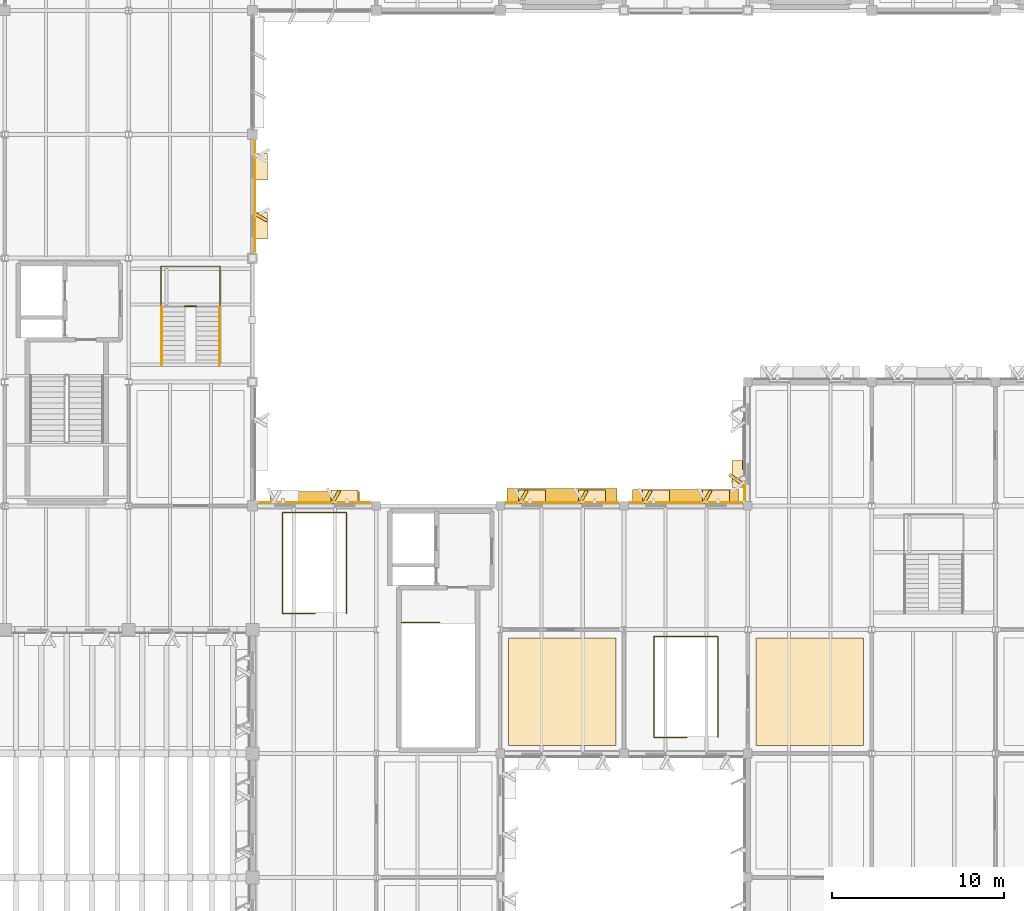
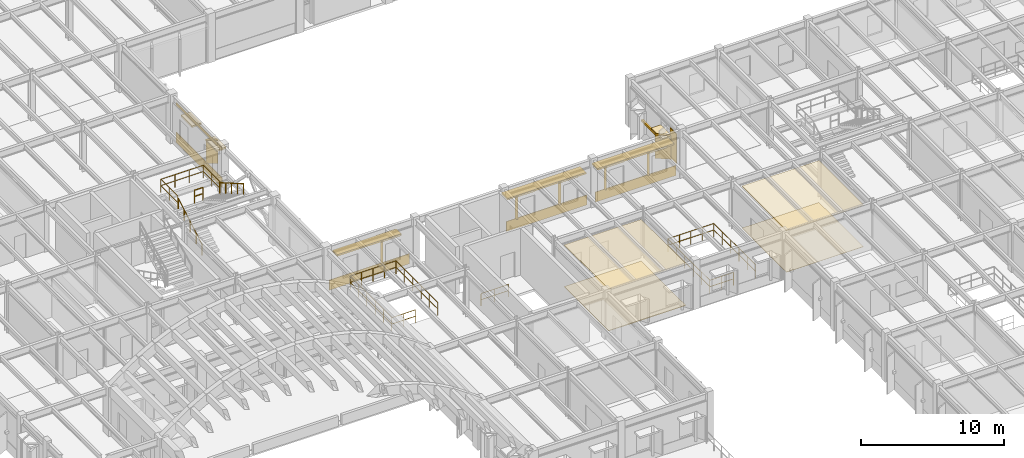
# One storey, part 73 of 85: 25 coverings, 7 railings, 4 shading devices.
"""IFC4 building model written with IfcOpenShell, lengths in metres."""

from ifc_helpers import new_model, si_unit, direction, frame, frame_2d, origin, origin_2d, place, context, subcontext, project, spatial, polyline, rectangle, circle, outline, extrude, material, layer, layer_set, type_object, element, save


model = new_model("IFC4")

# Units and contexts
model_context = context("Model", 3, precision=1e-05, world=origin(), true_north=direction((0.0, 1.0)))
body_context = subcontext(model_context, "Body", "Model", "MODEL_VIEW")
ifc_project = project(units=[si_unit("LENGTHUNIT", "METRE"), si_unit("AREAUNIT", "SQUARE_METRE"), si_unit("VOLUMEUNIT", "CUBIC_METRE"), si_unit("PLANEANGLEUNIT", "RADIAN"), si_unit("MASSUNIT", "GRAM", prefix="KILO")], contexts=[model_context])

# Site, building, storey
site_placement = place(None, origin())
site = spatial("IfcSite", under=ifc_project, at=site_placement, CompositionType="ELEMENT")
building_placement = place(site_placement, origin())
building = spatial("IfcBuilding", under=site, at=building_placement, Name="Sillqori Civic Hall", CompositionType="ELEMENT")
storey_placement = place(building_placement, frame((0.0, 0.0, 9.89990234375)))
storey = spatial("IfcBuildingStorey", under=building, at=storey_placement, Name="L03", CompositionType="ELEMENT", Elevation=9.89990234375)

# Coverings
ifc_material_1 = material(Name="Perforated Metal Coffer Panel 70", Category="aluminium")
ifc_layer_1 = layer(ifc_material_1, 0.070068359375)
ifc_layer_set_1 = layer_set([ifc_layer_1], Name="Perforated Metal Coffer Panel 70")
covering_type_1 = type_object("IfcCoveringType", Name="COV-CEIL-M70", PredefinedType="CEILING", material=ifc_layer_set_1)
covering_1_placement = place(storey_placement, frame((0.0, 0.0, 3.551025390625)))
element("IfcCovering", 1, at=covering_1_placement, inside=storey, type_object=covering_type_1, Name="Public Digital Services Lab acoustic ceiling", PredefinedType="CEILING", context=body_context, shape_type="SweptSolid", body=[
    extrude(outline(polyline([(65.280029296875, 36.47998046875), (71.52001953125, 36.47998046875), (71.52001953125, 42.719970703125), (65.280029296875, 42.719970703125), (65.280029296875, 36.47998046875)])), origin(), (0.0, 0.0, 1.0), 0.070068359375),
])
ifc_material_2 = material(Name="Andean Cedar Slatted Baffle 46", Category="timber")
ifc_layer_2 = layer(ifc_material_2, 0.0458984375)
ifc_layer_set_2 = layer_set([ifc_layer_2], Name="Andean Cedar Slatted Baffle 46")
covering_type_2 = type_object("IfcCoveringType", Name="COV-CEIL-T46", PredefinedType="CEILING", material=ifc_layer_set_2)
covering_2_placement = place(storey_placement, frame((0.0, 0.0, 3.5751953125)))
element("IfcCovering", 2, at=covering_2_placement, inside=storey, type_object=covering_type_2, Name="Legislative Stenography and Hansard Office acoustic ceiling", PredefinedType="CEILING", context=body_context, shape_type="SweptSolid", body=[
    extrude(outline(polyline([(50.8798828125, 36.47998046875), (57.1201171875, 36.47998046875), (57.1201171875, 42.719970703125), (50.8798828125, 42.719970703125), (50.8798828125, 36.47998046875)])), origin(), (0.0, 0.0, 1.0), 0.0458984375),
])
ifc_material_3 = material(Name="Cochabamba Honed Limestone Cladding", Category="masonry")
ifc_layer_3 = layer(ifc_material_3, 0.044921875)
ifc_layer_set_3 = layer_set([ifc_layer_3], Name="Cochabamba Honed Limestone Cladding")
covering_type_3 = type_object("IfcCoveringType", Name="COV-CLAD-LIME", PredefinedType="CLADDING", material=ifc_layer_set_3)
covering_3_placement = place(storey_placement, frame((36.14990234375, 71.6201171875, 0.0400390625), z_axis=(0.0, 0.0, 1.0), x_axis=(0.0, -1.0, 0.0)))
element("IfcCovering", 3, at=covering_3_placement, inside=storey, type_object=covering_type_3, Name="L03 limestone spandrel cladding L03-04-09-E", PredefinedType="CLADDING", context=body_context, shape_type="SweptSolid", body=[
    extrude(rectangle(XDim=6.440185546875, YDim=0.044921875, at=frame_2d((3.22021484375, 0.0))), origin(), (0.0, 0.0, 1.0), 0.860107421875),
])
covering_4_placement = place(storey_placement, frame((36.14990234375, 71.6201171875, 3.22021484375), z_axis=(0.0, 0.0, 1.0), x_axis=(0.0, -1.0, 0.0)))
element("IfcCovering", 4, at=covering_4_placement, inside=storey, type_object=covering_type_3, Name="L03 limestone frieze cladding L03-04-09-E", PredefinedType="CLADDING", context=body_context, shape_type="SweptSolid", body=[
    extrude(rectangle(XDim=6.440185546875, YDim=0.044921875, at=frame_2d((3.22021484375, 0.0))), origin(), (0.0, 0.0, 1.0), 0.226806640625),
])
covering_5_placement = place(storey_placement, frame((36.489990234375, 70.89599609375, 2.690185546875), z_axis=(0.0, 0.0, 1.0), x_axis=(0.0, -1.0, 0.0)))
element("IfcCovering", 5, at=covering_5_placement, inside=storey, type_object=covering_type_3, Name="Sawtooth limestone window hood L03-04-09-E.1", PredefinedType="CLADDING", context=body_context, shape_type="SweptSolid", body=[
    extrude(rectangle(XDim=1.56005859375, YDim=0.780029296875, at=frame_2d((0.780029296875, 0.0))), origin(), (0.0, 0.0, 1.0), 0.139892578125),
])
covering_6_placement = place(storey_placement, frame((36.110107421875, 67.404052734375, 0.830078125), z_axis=(0.0, 0.0, 1.0), x_axis=(0.865989465428, -0.500062241894, 0.0)))
element("IfcCovering", 6, at=covering_6_placement, inside=storey, type_object=covering_type_3, Name="Sawtooth limestone angled reveal cheek L03-04-09-E.2", PredefinedType="CLADDING", context=body_context, shape_type="SweptSolid", body=[
    extrude(rectangle(XDim=0.85009765625, YDim=0.179931640625, at=frame_2d((0.425048828125, 0.0))), origin(), (0.0, 0.0, 1.0), 2.0),
])
covering_7_placement = place(storey_placement, frame((36.489990234375, 67.464111328125, 2.690185546875), z_axis=(0.0, 0.0, 1.0), x_axis=(0.0, -1.0, 0.0)))
element("IfcCovering", 7, at=covering_7_placement, inside=storey, type_object=covering_type_3, Name="Sawtooth limestone window hood L03-04-09-E.2", PredefinedType="CLADDING", context=body_context, shape_type="SweptSolid", body=[
    extrude(rectangle(XDim=1.56005859375, YDim=0.780029296875, at=frame_2d((0.780029296875, 0.0))), origin(), (0.0, 0.0, 1.0), 0.139892578125),
])
covering_8_placement = place(storey_placement, frame((36.3798828125, 50.590087890625, 0.0400390625), z_axis=(0.0, 0.0, 1.0), x_axis=(1.0, 0.0, 0.0)))
element("IfcCovering", 8, at=covering_8_placement, inside=storey, type_object=covering_type_3, Name="L03 limestone spandrel cladding L03-05-06-N", PredefinedType="CLADDING", context=body_context, shape_type="SweptSolid", body=[
    extrude(rectangle(XDim=6.490234375, YDim=0.044921875, at=frame_2d((3.2451171875, 0.0))), origin(), (0.0, 0.0, 1.0), 0.860107421875),
])
covering_9_placement = place(storey_placement, frame((40.634033203125, 50.550048828125, 0.830078125), z_axis=(0.0, 0.0, 1.0), x_axis=(0.500062241894, 0.865989465428, 0.0)))
element("IfcCovering", 9, at=covering_9_placement, inside=storey, type_object=covering_type_3, Name="Sawtooth limestone angled reveal cheek L03-05-06-N.2", PredefinedType="CLADDING", context=body_context, shape_type="SweptSolid", body=[
    extrude(rectangle(XDim=0.85009765625, YDim=0.179931640625, at=frame_2d((0.425048828125, 0.0))), origin(), (0.0, 0.0, 1.0), 2.0),
])
covering_10_placement = place(storey_placement, frame((40.573974609375, 50.929931640625, 2.690185546875), z_axis=(0.0, 0.0, 1.0), x_axis=(1.0, 0.0, 0.0)))
element("IfcCovering", 10, at=covering_10_placement, inside=storey, type_object=covering_type_3, Name="Sawtooth limestone window hood L03-05-06-N.2", PredefinedType="CLADDING", context=body_context, shape_type="SweptSolid", body=[
    extrude(rectangle(XDim=1.56005859375, YDim=0.780029296875, at=frame_2d((0.780029296875, 0.0))), origin(), (0.0, 0.0, 1.0), 0.139892578125),
])
covering_11_placement = place(storey_placement, frame((50.72998046875, 50.590087890625, 0.0400390625), z_axis=(0.0, 0.0, 1.0), x_axis=(1.0, 0.0, 0.0)))
element("IfcCovering", 11, at=covering_11_placement, inside=storey, type_object=covering_type_3, Name="L03 limestone spandrel cladding L03-07-06-N", PredefinedType="CLADDING", context=body_context, shape_type="SweptSolid", body=[
    extrude(rectangle(XDim=6.5400390625, YDim=0.044921875, at=frame_2d((3.27001953125, 0.0))), origin(), (0.0, 0.0, 1.0), 0.860107421875),
])
covering_12_placement = place(storey_placement, frame((51.5380859375, 50.550048828125, 0.830078125), z_axis=(0.0, 0.0, 1.0), x_axis=(0.499846793097, 0.866113839764, 0.0)))
element("IfcCovering", 12, at=covering_12_placement, inside=storey, type_object=covering_type_3, Name="Sawtooth limestone angled reveal cheek L03-07-06-N.1", PredefinedType="CLADDING", context=body_context, shape_type="SweptSolid", body=[
    extrude(rectangle(XDim=0.849853515625, YDim=0.179931640625, at=frame_2d((0.4248046875, 0.0))), origin(), (0.0, 0.0, 1.0), 2.0),
])
covering_13_placement = place(storey_placement, frame((51.47802734375, 50.929931640625, 2.690185546875), z_axis=(0.0, 0.0, 1.0), x_axis=(1.0, 0.0, 0.0)))
element("IfcCovering", 13, at=covering_13_placement, inside=storey, type_object=covering_type_3, Name="Sawtooth limestone window hood L03-07-06-N.1", PredefinedType="CLADDING", context=body_context, shape_type="SweptSolid", body=[
    extrude(rectangle(XDim=1.56005859375, YDim=0.780029296875, at=frame_2d((0.780029296875, 0.0))), origin(), (0.0, 0.0, 1.0), 0.139892578125),
])
covering_14_placement = place(storey_placement, frame((55.02197265625, 50.550048828125, 0.830078125), z_axis=(0.0, 0.0, 1.0), x_axis=(0.500062241894, 0.865989465428, 0.0)))
element("IfcCovering", 14, at=covering_14_placement, inside=storey, type_object=covering_type_3, Name="Sawtooth limestone angled reveal cheek L03-07-06-N.2", PredefinedType="CLADDING", context=body_context, shape_type="SweptSolid", body=[
    extrude(rectangle(XDim=0.85009765625, YDim=0.179931640625, at=frame_2d((0.425048828125, 0.0))), origin(), (0.0, 0.0, 1.0), 2.0),
])
covering_15_placement = place(storey_placement, frame((54.9619140625, 50.929931640625, 2.690185546875), z_axis=(0.0, 0.0, 1.0), x_axis=(1.0, 0.0, 0.0)))
element("IfcCovering", 15, at=covering_15_placement, inside=storey, type_object=covering_type_3, Name="Sawtooth limestone window hood L03-07-06-N.2", PredefinedType="CLADDING", context=body_context, shape_type="SweptSolid", body=[
    extrude(rectangle(XDim=1.56005859375, YDim=0.780029296875, at=frame_2d((0.780029296875, 0.0))), origin(), (0.0, 0.0, 1.0), 0.139892578125),
])
covering_16_placement = place(storey_placement, frame((57.929931640625, 50.590087890625, 0.0400390625), z_axis=(0.0, 0.0, 1.0), x_axis=(1.0, 0.0, 0.0)))
element("IfcCovering", 16, at=covering_16_placement, inside=storey, type_object=covering_type_3, Name="L03 limestone spandrel cladding L03-08-06-N", PredefinedType="CLADDING", context=body_context, shape_type="SweptSolid", body=[
    extrude(rectangle(XDim=6.5400390625, YDim=0.044921875, at=frame_2d((3.27001953125, 0.0))), origin(), (0.0, 0.0, 1.0), 0.860107421875),
])
covering_17_placement = place(storey_placement, frame((58.738037109375, 50.550048828125, 0.830078125), z_axis=(0.0, 0.0, 1.0), x_axis=(0.500062241894, 0.865989465428, 0.0)))
element("IfcCovering", 17, at=covering_17_placement, inside=storey, type_object=covering_type_3, Name="Sawtooth limestone angled reveal cheek L03-08-06-N.1", PredefinedType="CLADDING", context=body_context, shape_type="SweptSolid", body=[
    extrude(rectangle(XDim=0.85009765625, YDim=0.179931640625, at=frame_2d((0.425048828125, 0.0))), origin(), (0.0, 0.0, 1.0), 2.0),
])
covering_18_placement = place(storey_placement, frame((58.677978515625, 50.929931640625, 2.690185546875), z_axis=(0.0, 0.0, 1.0), x_axis=(1.0, 0.0, 0.0)))
element("IfcCovering", 18, at=covering_18_placement, inside=storey, type_object=covering_type_3, Name="Sawtooth limestone window hood L03-08-06-N.1", PredefinedType="CLADDING", context=body_context, shape_type="SweptSolid", body=[
    extrude(rectangle(XDim=1.56005859375, YDim=0.780029296875, at=frame_2d((0.780029296875, 0.0))), origin(), (0.0, 0.0, 1.0), 0.139892578125),
])
covering_19_placement = place(storey_placement, frame((62.221923828125, 50.550048828125, 0.830078125), z_axis=(0.0, 0.0, 1.0), x_axis=(0.500062241894, 0.865989465428, 0.0)))
element("IfcCovering", 19, at=covering_19_placement, inside=storey, type_object=covering_type_3, Name="Sawtooth limestone angled reveal cheek L03-08-06-N.2", PredefinedType="CLADDING", context=body_context, shape_type="SweptSolid", body=[
    extrude(rectangle(XDim=0.85009765625, YDim=0.179931640625, at=frame_2d((0.425048828125, 0.0))), origin(), (0.0, 0.0, 1.0), 2.0),
])
covering_20_placement = place(storey_placement, frame((62.162109375, 50.929931640625, 2.690185546875), z_axis=(0.0, 0.0, 1.0), x_axis=(1.0, 0.0, 0.0)))
element("IfcCovering", 20, at=covering_20_placement, inside=storey, type_object=covering_type_3, Name="Sawtooth limestone window hood L03-08-06-N.2", PredefinedType="CLADDING", context=body_context, shape_type="SweptSolid", body=[
    extrude(rectangle(XDim=1.559814453125, YDim=0.780029296875, at=frame_2d((0.77978515625, 0.0))), origin(), (0.0, 0.0, 1.0), 0.139892578125),
])
covering_21_placement = place(storey_placement, frame((64.6201171875, 50.72998046875, 0.900146484375), z_axis=(0.0, 0.0, 1.0), x_axis=(0.0, 1.0, 0.0)))
element("IfcCovering", 21, at=covering_21_placement, inside=storey, type_object=covering_type_3, Name="L03 Wedge Hall limestone pier cladding L03-09-07-W.1", PredefinedType="CLADDING", context=body_context, shape_type="SweptSolid", body=[
    extrude(rectangle(XDim=0.887939453125, YDim=0.044921875, at=frame_2d((0.44384765625, 0.0))), origin(), (0.0, 0.0, 1.0), 2.546875),
])
covering_22_placement = place(storey_placement, frame((64.659912109375, 51.5380859375, 0.830078125), z_axis=(0.0, 0.0, 1.0), x_axis=(-0.809002213092, 0.587805596445, 0.0)))
element("IfcCovering", 22, at=covering_22_placement, inside=storey, type_object=covering_type_3, Name="Sawtooth limestone angled reveal cheek L03-09-07-W.1", PredefinedType="CLADDING", context=body_context, shape_type="SweptSolid", body=[
    extrude(rectangle(XDim=1.150146484375, YDim=0.179931640625, at=frame_2d((0.5751953125, 0.0))), origin(), (0.0, 0.0, 1.0), 2.0),
])
covering_23_placement = place(storey_placement, frame((64.280029296875, 51.47802734375, 2.690185546875), z_axis=(0.0, 0.0, 1.0), x_axis=(0.0, 1.0, 0.0)))
element("IfcCovering", 23, at=covering_23_placement, inside=storey, type_object=covering_type_3, Name="Sawtooth limestone window hood L03-09-07-W.1", PredefinedType="CLADDING", context=body_context, shape_type="SweptSolid", body=[
    extrude(rectangle(XDim=1.56005859375, YDim=0.780029296875, at=frame_2d((0.780029296875, 0.0))), origin(), (0.0, 0.0, 1.0), 0.139892578125),
])
ifc_material_4 = material(Name="Vitrified Porcelain Tile 18", Category="ceramic")
ifc_layer_4 = layer(ifc_material_4, 0.01806640625)
ifc_layer_set_4 = layer_set([ifc_layer_4], Name="Vitrified Porcelain Tile 18")
covering_type_4 = type_object("IfcCoveringType", Name="COV-FLR-P18", PredefinedType="FLOORING", material=ifc_layer_set_4)
covering_24_placement = place(storey_placement, origin())
element("IfcCovering", 24, at=covering_24_placement, inside=storey, type_object=covering_type_4, Name="Public Digital Services Lab floor finish", PredefinedType="FLOORING", context=body_context, shape_type="SweptSolid", body=[
    extrude(outline(polyline([(65.280029296875, 36.47998046875), (71.52001953125, 36.47998046875), (71.52001953125, 42.719970703125), (65.280029296875, 42.719970703125), (65.280029296875, 36.47998046875)])), origin(), (0.0, 0.0, 1.0), 0.01806640625),
])
ifc_material_5 = material(Name="Thick Ceremonial Limestone Flagstone 50", Category="masonry")
ifc_layer_5 = layer(ifc_material_5, 0.050048828125)
ifc_layer_set_5 = layer_set([ifc_layer_5], Name="Thick Ceremonial Limestone Flagstone 50")
covering_type_5 = type_object("IfcCoveringType", Name="COV-FLR-S50", PredefinedType="FLOORING", material=ifc_layer_set_5)
covering_25_placement = place(storey_placement, origin())
element("IfcCovering", 25, at=covering_25_placement, inside=storey, type_object=covering_type_5, Name="Legislative Stenography and Hansard Office floor finish", PredefinedType="FLOORING", context=body_context, shape_type="SweptSolid", body=[
    extrude(outline(polyline([(50.8798828125, 36.47998046875), (57.1201171875, 36.47998046875), (57.1201171875, 42.719970703125), (50.8798828125, 42.719970703125), (50.8798828125, 36.47998046875)])), origin(), (0.0, 0.0, 1.0), 0.050048828125),
])

# Railings
ifc_material_6 = material(Name="Architectural Bronze and Tempered Glass Balustrade", Category="glass")
ifc_layer_6 = layer(ifc_material_6, 0.080078125)
ifc_layer_set_6 = layer_set([ifc_layer_6], Name="Architectural Bronze and Tempered Glass Balustrade")
railing_type_1 = type_object("IfcRailingType", Name="RLG-BALU-115", PredefinedType="BALUSTRADE", material=ifc_layer_set_6)
railing_1_placement = place(storey_placement, frame((39.659912109375, 44.139892578125, 0.0)))
element("IfcRailing", 26, at=railing_1_placement, inside=storey, type_object=railing_type_1, Name="Council Gallery Ceremonial Stair L02-L03 upper atrium well balustrade", PredefinedType="BALUSTRADE", context=body_context, shape_type="SweptSolid", body=[
    extrude(circle(Radius=0.02392578125, at=origin_2d()), frame((0.0, 0.0, 1.1259765625), z_axis=(-1.0, 0.0, 0.0), x_axis=(0.0, -1.0, 0.0)), (0.0, 0.0, 1.0), 1.919921875),
    extrude(circle(Radius=0.02392578125, at=origin_2d()), frame((0.0, 0.0, 0.574951171875), z_axis=(-1.0, 0.0, 0.0), x_axis=(0.0, -1.0, 0.0)), (0.0, 0.0, 1.0), 1.919921875),
    extrude(circle(Radius=0.02392578125, at=origin_2d()), frame((-1.919921875, 0.0, 1.1259765625), z_axis=(0.0, 1.0, 0.0), x_axis=(-1.0, 0.0, 0.0)), (0.0, 0.0, 1.0), 5.8701171875),
    extrude(circle(Radius=0.02392578125, at=origin_2d()), frame((-1.919921875, 0.0, 0.574951171875), z_axis=(0.0, 1.0, 0.0), x_axis=(-1.0, 0.0, 0.0)), (0.0, 0.0, 1.0), 5.8701171875),
    extrude(circle(Radius=0.02392578125, at=origin_2d()), frame((-1.919921875, 5.8701171875, 1.1259765625), z_axis=(1.0, 0.0, 0.0), x_axis=(0.0, 1.0, 0.0)), (0.0, 0.0, 1.0), 3.719970703125),
    extrude(circle(Radius=0.02392578125, at=origin_2d()), frame((-1.919921875, 5.8701171875, 0.574951171875), z_axis=(1.0, 0.0, 0.0), x_axis=(0.0, 1.0, 0.0)), (0.0, 0.0, 1.0), 3.719970703125),
    extrude(circle(Radius=0.02392578125, at=origin_2d()), frame((1.800048828125, 5.8701171875, 1.1259765625), z_axis=(0.0, -1.0, 0.0), x_axis=(1.0, 0.0, 0.0)), (0.0, 0.0, 1.0), 5.8701171875),
    extrude(circle(Radius=0.02392578125, at=origin_2d()), frame((1.800048828125, 5.8701171875, 0.574951171875), z_axis=(0.0, -1.0, 0.0), x_axis=(1.0, 0.0, 0.0)), (0.0, 0.0, 1.0), 5.8701171875),
    extrude(circle(Radius=0.02099609375, at=origin_2d()), origin(), (0.0, 0.0, 1.0), 1.101806640625),
    extrude(circle(Radius=0.02099609375, at=origin_2d()), frame((-0.9599609375, 0.0, 0.0)), (0.0, 0.0, 1.0), 1.101806640625),
    extrude(circle(Radius=0.02099609375, at=origin_2d()), frame((-1.919921875, 0.0, 0.0)), (0.0, 0.0, 1.0), 1.101806640625),
    extrude(circle(Radius=0.02099609375, at=origin_2d()), frame((-1.919921875, 1.174072265625, 0.0)), (0.0, 0.0, 1.0), 1.101806640625),
    extrude(circle(Radius=0.02099609375, at=origin_2d()), frame((-1.919921875, 2.34814453125, 0.0)), (0.0, 0.0, 1.0), 1.101806640625),
    extrude(circle(Radius=0.02099609375, at=origin_2d()), frame((-1.919921875, 3.52197265625, 0.0)), (0.0, 0.0, 1.0), 1.101806640625),
    extrude(circle(Radius=0.02099609375, at=origin_2d()), frame((-1.919921875, 4.696044921875, 0.0)), (0.0, 0.0, 1.0), 1.101806640625),
    extrude(circle(Radius=0.02099609375, at=origin_2d()), frame((-1.919921875, 5.8701171875, 0.0)), (0.0, 0.0, 1.0), 1.101806640625),
    extrude(circle(Radius=0.02099609375, at=origin_2d()), frame((-0.989990234375, 5.8701171875, 0.0)), (0.0, 0.0, 1.0), 1.101806640625),
    extrude(circle(Radius=0.02099609375, at=origin_2d()), frame((-0.06005859375, 5.8701171875, 0.0)), (0.0, 0.0, 1.0), 1.101806640625),
    extrude(circle(Radius=0.02099609375, at=origin_2d()), frame((0.8701171875, 5.8701171875, 0.0)), (0.0, 0.0, 1.0), 1.101806640625),
    extrude(circle(Radius=0.02099609375, at=origin_2d()), frame((1.800048828125, 5.8701171875, 0.0)), (0.0, 0.0, 1.0), 1.101806640625),
    extrude(circle(Radius=0.02099609375, at=origin_2d()), frame((1.800048828125, 4.696044921875, 0.0)), (0.0, 0.0, 1.0), 1.101806640625),
    extrude(circle(Radius=0.02099609375, at=origin_2d()), frame((1.800048828125, 3.52197265625, 0.0)), (0.0, 0.0, 1.0), 1.101806640625),
    extrude(circle(Radius=0.02099609375, at=origin_2d()), frame((1.800048828125, 2.34814453125, 0.0)), (0.0, 0.0, 1.0), 1.101806640625),
    extrude(circle(Radius=0.02099609375, at=origin_2d()), frame((1.800048828125, 1.174072265625, 0.0)), (0.0, 0.0, 1.0), 1.101806640625),
    extrude(circle(Radius=0.02099609375, at=origin_2d()), frame((1.800048828125, 0.0, 0.0)), (0.0, 0.0, 1.0), 1.101806640625),
])
railing_2_placement = place(storey_placement, frame((61.260009765625, 36.93994140625, 0.0)))
element("IfcRailing", 27, at=railing_2_placement, inside=storey, type_object=railing_type_1, Name="Council Link Gallery Stair L02-L03 upper atrium well balustrade", PredefinedType="BALUSTRADE", context=body_context, shape_type="SweptSolid", body=[
    extrude(circle(Radius=0.02392578125, at=origin_2d()), frame((0.0, 0.0, 1.1259765625), z_axis=(-1.0, 0.0, 0.0), x_axis=(0.0, -1.0, 0.0)), (0.0, 0.0, 1.0), 1.919921875),
    extrude(circle(Radius=0.02392578125, at=origin_2d()), frame((0.0, 0.0, 0.574951171875), z_axis=(-1.0, 0.0, 0.0), x_axis=(0.0, -1.0, 0.0)), (0.0, 0.0, 1.0), 1.919921875),
    extrude(circle(Radius=0.02392578125, at=origin_2d()), frame((-1.919921875, 0.0, 1.1259765625), z_axis=(0.0, 1.0, 0.0), x_axis=(-1.0, 0.0, 0.0)), (0.0, 0.0, 1.0), 5.8701171875),
    extrude(circle(Radius=0.02392578125, at=origin_2d()), frame((-1.919921875, 0.0, 0.574951171875), z_axis=(0.0, 1.0, 0.0), x_axis=(-1.0, 0.0, 0.0)), (0.0, 0.0, 1.0), 5.8701171875),
    extrude(circle(Radius=0.02392578125, at=origin_2d()), frame((-1.919921875, 5.8701171875, 1.1259765625), z_axis=(1.0, 0.0, 0.0), x_axis=(0.0, 1.0, 0.0)), (0.0, 0.0, 1.0), 3.719970703125),
    extrude(circle(Radius=0.02392578125, at=origin_2d()), frame((-1.919921875, 5.8701171875, 0.574951171875), z_axis=(1.0, 0.0, 0.0), x_axis=(0.0, 1.0, 0.0)), (0.0, 0.0, 1.0), 3.719970703125),
    extrude(circle(Radius=0.02392578125, at=origin_2d()), frame((1.800048828125, 5.8701171875, 1.1259765625), z_axis=(0.0, -1.0, 0.0), x_axis=(1.0, 0.0, 0.0)), (0.0, 0.0, 1.0), 5.8701171875),
    extrude(circle(Radius=0.02392578125, at=origin_2d()), frame((1.800048828125, 5.8701171875, 0.574951171875), z_axis=(0.0, -1.0, 0.0), x_axis=(1.0, 0.0, 0.0)), (0.0, 0.0, 1.0), 5.8701171875),
    extrude(circle(Radius=0.02099609375, at=origin_2d()), origin(), (0.0, 0.0, 1.0), 1.101806640625),
    extrude(circle(Radius=0.02099609375, at=origin_2d()), frame((-0.9599609375, 0.0, 0.0)), (0.0, 0.0, 1.0), 1.101806640625),
    extrude(circle(Radius=0.02099609375, at=origin_2d()), frame((-1.919921875, 0.0, 0.0)), (0.0, 0.0, 1.0), 1.101806640625),
    extrude(circle(Radius=0.02099609375, at=origin_2d()), frame((-1.919921875, 1.174072265625, 0.0)), (0.0, 0.0, 1.0), 1.101806640625),
    extrude(circle(Radius=0.02099609375, at=origin_2d()), frame((-1.919921875, 2.34814453125, 0.0)), (0.0, 0.0, 1.0), 1.101806640625),
    extrude(circle(Radius=0.02099609375, at=origin_2d()), frame((-1.919921875, 3.52197265625, 0.0)), (0.0, 0.0, 1.0), 1.101806640625),
    extrude(circle(Radius=0.02099609375, at=origin_2d()), frame((-1.919921875, 4.696044921875, 0.0)), (0.0, 0.0, 1.0), 1.101806640625),
    extrude(circle(Radius=0.02099609375, at=origin_2d()), frame((-1.919921875, 5.8701171875, 0.0)), (0.0, 0.0, 1.0), 1.101806640625),
    extrude(circle(Radius=0.02099609375, at=origin_2d()), frame((-0.989990234375, 5.8701171875, 0.0)), (0.0, 0.0, 1.0), 1.101806640625),
    extrude(circle(Radius=0.02099609375, at=origin_2d()), frame((-0.06005859375, 5.8701171875, 0.0)), (0.0, 0.0, 1.0), 1.101806640625),
    extrude(circle(Radius=0.02099609375, at=origin_2d()), frame((0.8701171875, 5.8701171875, 0.0)), (0.0, 0.0, 1.0), 1.101806640625),
    extrude(circle(Radius=0.02099609375, at=origin_2d()), frame((1.800048828125, 5.8701171875, 0.0)), (0.0, 0.0, 1.0), 1.101806640625),
    extrude(circle(Radius=0.02099609375, at=origin_2d()), frame((1.800048828125, 4.696044921875, 0.0)), (0.0, 0.0, 1.0), 1.101806640625),
    extrude(circle(Radius=0.02099609375, at=origin_2d()), frame((1.800048828125, 3.52197265625, 0.0)), (0.0, 0.0, 1.0), 1.101806640625),
    extrude(circle(Radius=0.02099609375, at=origin_2d()), frame((1.800048828125, 2.34814453125, 0.0)), (0.0, 0.0, 1.0), 1.101806640625),
    extrude(circle(Radius=0.02099609375, at=origin_2d()), frame((1.800048828125, 1.174072265625, 0.0)), (0.0, 0.0, 1.0), 1.101806640625),
    extrude(circle(Radius=0.02099609375, at=origin_2d()), frame((1.800048828125, 0.0, 0.0)), (0.0, 0.0, 1.0), 1.101806640625),
])
ifc_material_7 = material(Name="Brushed Stainless Steel 316 Handrail", Category="steel")
ifc_layer_7 = layer(ifc_material_7, 0.044921875)
ifc_layer_set_7 = layer_set([ifc_layer_7], Name="Brushed Stainless Steel 316 Handrail")
railing_type_2 = type_object("IfcRailingType", Name="RLG-CORE-092", PredefinedType="HANDRAIL", material=ifc_layer_set_7)
railing_3_placement = place(storey_placement, frame((30.719970703125, 58.60009765625, 0.16162109375)))
element("IfcRailing", 28, at=railing_3_placement, inside=storey, type_object=railing_type_2, Name="Directorate Wing Stair L03-L04 handrail W", PredefinedType="HANDRAIL", context=body_context, shape_type="SweptSolid", body=[
    extrude(circle(Radius=0.02392578125, at=origin_2d()), frame((0.0, 0.0, 0.89599609375), z_axis=(0.0, 0.866175107563, 0.499740615757), x_axis=(-1.0, 0.0, 0.0)), (0.0, 0.0, 1.0), 3.87890625),
    extrude(circle(Radius=0.02099609375, at=origin_2d()), origin(), (0.0, 0.0, 1.0), 0.871826171875),
    extrude(circle(Radius=0.02099609375, at=origin_2d()), frame((0.0, 0.83984375, 0.484619140625)), (0.0, 0.0, 1.0), 0.871826171875),
    extrude(circle(Radius=0.02099609375, at=origin_2d()), frame((0.0, 1.679931640625, 0.96923828125)), (0.0, 0.0, 1.0), 0.871826171875),
    extrude(circle(Radius=0.02099609375, at=origin_2d()), frame((0.0, 2.52001953125, 1.453857421875)), (0.0, 0.0, 1.0), 0.871826171875),
    extrude(circle(Radius=0.02099609375, at=origin_2d()), frame((0.0, 3.35986328125, 1.9384765625)), (0.0, 0.0, 1.0), 0.871826171875),
])
railing_4_placement = place(storey_placement, frame((34.080078125, 61.9599609375, 2.26171875)))
element("IfcRailing", 29, at=railing_4_placement, inside=storey, type_object=railing_type_2, Name="Directorate Wing Stair L03-L04 handrail E", PredefinedType="HANDRAIL", context=body_context, shape_type="SweptSolid", body=[
    extrude(circle(Radius=0.02392578125, at=origin_2d()), frame((0.0, 0.0, 0.89599609375), z_axis=(0.0, -0.866175107563, 0.499740615757), x_axis=(1.0, 0.0, 0.0)), (0.0, 0.0, 1.0), 3.87890625),
    extrude(circle(Radius=0.02099609375, at=origin_2d()), origin(), (0.0, 0.0, 1.0), 0.871826171875),
    extrude(circle(Radius=0.02099609375, at=origin_2d()), frame((0.0, -0.83984375, 0.484619140625)), (0.0, 0.0, 1.0), 0.871826171875),
    extrude(circle(Radius=0.02099609375, at=origin_2d()), frame((0.0, -1.679931640625, 0.96923828125)), (0.0, 0.0, 1.0), 0.871826171875),
    extrude(circle(Radius=0.02099609375, at=origin_2d()), frame((0.0, -2.52001953125, 1.453857421875)), (0.0, 0.0, 1.0), 0.871826171875),
    extrude(circle(Radius=0.02099609375, at=origin_2d()), frame((0.0, -3.35986328125, 1.9384765625)), (0.0, 0.0, 1.0), 0.871826171875),
])
ifc_material_8 = material(Name="Galvanized Painted Steel Guardrail", Category="steel")
ifc_layer_8 = layer(ifc_material_8, 0.050048828125)
ifc_layer_set_8 = layer_set([ifc_layer_8], Name="Galvanized Painted Steel Guardrail")
railing_type_3 = type_object("IfcRailingType", Name="RLG-CORE-110", PredefinedType="GUARDRAIL", material=ifc_layer_set_8)
railing_5_placement = place(storey_placement, frame((44.659912109375, 43.6201171875, 0.0)))
element("IfcRailing", 30, at=railing_5_placement, inside=storey, type_object=railing_type_3, Name="L03 ST-01 top well guard 1", PredefinedType="GUARDRAIL", context=body_context, shape_type="SweptSolid", body=[
    extrude(circle(Radius=0.02392578125, at=origin_2d()), frame((0.0, 0.0, 1.076171875), z_axis=(1.0, 0.0, 0.0), x_axis=(0.0, 1.0, 0.0)), (0.0, 0.0, 1.0), 2.219970703125),
    extrude(circle(Radius=0.02392578125, at=origin_2d()), frame((0.0, 0.0, 0.550048828125), z_axis=(1.0, 0.0, 0.0), x_axis=(0.0, 1.0, 0.0)), (0.0, 0.0, 1.0), 2.219970703125),
    extrude(circle(Radius=0.02099609375, at=origin_2d()), origin(), (0.0, 0.0, 1.0), 1.052001953125),
    extrude(circle(Radius=0.02099609375, at=origin_2d()), frame((1.10986328125, 0.0, 0.0)), (0.0, 0.0, 1.0), 1.052001953125),
    extrude(circle(Radius=0.02099609375, at=origin_2d()), frame((2.219970703125, 0.0, 0.0)), (0.0, 0.0, 1.0), 1.052001953125),
])
ifc_material_9 = material(Name="Stainless Steel 316 and Laminated Balustrade", Category="steel")
ifc_layer_9 = layer(ifc_material_9, 0.06005859375)
ifc_layer_set_9 = layer_set([ifc_layer_9], Name="Stainless Steel 316 and Laminated Balustrade")
railing_type_4 = type_object("IfcRailingType", Name="RLG-TERR-112", PredefinedType="GUARDRAIL", material=ifc_layer_set_9)
railing_6_placement = place(storey_placement, frame((30.679931640625, 61.9599609375, 2.10009765625)))
element("IfcRailing", 31, at=railing_6_placement, inside=storey, type_object=railing_type_4, Name="Directorate Wing Stair L03-L04 half-landing guard", PredefinedType="GUARDRAIL", context=body_context, shape_type="SweptSolid", body=[
    extrude(circle(Radius=0.02392578125, at=origin_2d()), frame((0.0, 0.0, 1.09619140625), z_axis=(0.0, 1.0, 0.0), x_axis=(-1.0, 0.0, 0.0)), (0.0, 0.0, 1.0), 2.3701171875),
    extrude(circle(Radius=0.02392578125, at=origin_2d()), frame((0.0, 0.0, 0.56005859375), z_axis=(0.0, 1.0, 0.0), x_axis=(-1.0, 0.0, 0.0)), (0.0, 0.0, 1.0), 2.3701171875),
    extrude(circle(Radius=0.02392578125, at=origin_2d()), frame((0.0, 2.3701171875, 1.09619140625), z_axis=(1.0, 0.0, 0.0), x_axis=(0.0, 1.0, 0.0)), (0.0, 0.0, 1.0), 3.440185546875),
    extrude(circle(Radius=0.02392578125, at=origin_2d()), frame((0.0, 2.3701171875, 0.56005859375), z_axis=(1.0, 0.0, 0.0), x_axis=(0.0, 1.0, 0.0)), (0.0, 0.0, 1.0), 3.440185546875),
    extrude(circle(Radius=0.02392578125, at=origin_2d()), frame((3.440185546875, 2.3701171875, 1.09619140625), z_axis=(0.0, -1.0, 0.0), x_axis=(1.0, 0.0, 0.0)), (0.0, 0.0, 1.0), 2.3701171875),
    extrude(circle(Radius=0.02392578125, at=origin_2d()), frame((3.440185546875, 2.3701171875, 0.56005859375), z_axis=(0.0, -1.0, 0.0), x_axis=(1.0, 0.0, 0.0)), (0.0, 0.0, 1.0), 2.3701171875),
    extrude(circle(Radius=0.02099609375, at=origin_2d()), origin(), (0.0, 0.0, 1.0), 1.072021484375),
    extrude(circle(Radius=0.02099609375, at=origin_2d()), frame((0.0, 1.18505859375, 0.0)), (0.0, 0.0, 1.0), 1.072021484375),
    extrude(circle(Radius=0.02099609375, at=origin_2d()), frame((0.0, 2.3701171875, 0.0)), (0.0, 0.0, 1.0), 1.072021484375),
    extrude(circle(Radius=0.02099609375, at=origin_2d()), frame((1.146728515625, 2.3701171875, 0.0)), (0.0, 0.0, 1.0), 1.072021484375),
    extrude(circle(Radius=0.02099609375, at=origin_2d()), frame((2.29345703125, 2.3701171875, 0.0)), (0.0, 0.0, 1.0), 1.072021484375),
    extrude(circle(Radius=0.02099609375, at=origin_2d()), frame((3.440185546875, 2.3701171875, 0.0)), (0.0, 0.0, 1.0), 1.072021484375),
    extrude(circle(Radius=0.02099609375, at=origin_2d()), frame((3.440185546875, 1.18505859375, 0.0)), (0.0, 0.0, 1.0), 1.072021484375),
    extrude(circle(Radius=0.02099609375, at=origin_2d()), frame((3.440185546875, 0.0, 0.0)), (0.0, 0.0, 1.0), 1.072021484375),
])
railing_7_placement = place(storey_placement, frame((32.06005859375, 62.0, 2.10009765625)))
element("IfcRailing", 32, at=railing_7_placement, inside=storey, type_object=railing_type_4, Name="Directorate Wing Stair L03-L04 half-landing inner well guard", PredefinedType="GUARDRAIL", context=body_context, shape_type="SweptSolid", body=[
    extrude(circle(Radius=0.02392578125, at=origin_2d()), frame((0.0, 0.0, 1.09619140625), z_axis=(1.0, 0.0, 0.0), x_axis=(0.0, 1.0, 0.0)), (0.0, 0.0, 1.0), 0.679931640625),
    extrude(circle(Radius=0.02392578125, at=origin_2d()), frame((0.0, 0.0, 0.56005859375), z_axis=(1.0, 0.0, 0.0), x_axis=(0.0, 1.0, 0.0)), (0.0, 0.0, 1.0), 0.679931640625),
    extrude(circle(Radius=0.02099609375, at=origin_2d()), origin(), (0.0, 0.0, 1.0), 1.072021484375),
    extrude(circle(Radius=0.02099609375, at=origin_2d()), frame((0.679931640625, 0.0, 0.0)), (0.0, 0.0, 1.0), 1.072021484375),
])

# Shading devices
ifc_material_10 = material(Name="Anodized Aluminium Solar Control Louvre", Category="aluminium")
shading_device_type_1 = type_object("IfcShadingDeviceType", Name="SHD-CLAU-300", PredefinedType="SHUTTER", material=ifc_material_10)
shading_device_1_placement = place(storey_placement, frame((64.580078125, 54.0, 1.668701171875), z_axis=(0.0, 0.0, 1.0), x_axis=(0.0, 1.0, 0.0)))
element("IfcShadingDevice", 33, at=shading_device_1_placement, inside=storey, type_object=shading_device_type_1, Name="L03 pierced claustra screen L03-09-07-W", PredefinedType="SHUTTER", context=body_context, shape_type="SweptSolid", body=[
    extrude(rectangle(XDim=3.0, YDim=0.159912109375, at=origin_2d()), origin(), (0.0, 0.0, 1.0), 0.14990234375),
])
shading_device_type_2 = type_object("IfcShadingDeviceType", Name="SHD-HOOD-520", PredefinedType="JALOUSIE", material=ifc_material_10)
shading_device_2_placement = place(storey_placement, frame((39.625, 50.89501953125, 2.72021484375), z_axis=(0.0, 0.0, 1.0), x_axis=(1.0, 0.0, 0.0)))
element("IfcShadingDevice", 34, at=shading_device_2_placement, inside=storey, type_object=shading_device_type_2, Name="L03 north solar hood L03-05-06-N", PredefinedType="JALOUSIE", context=body_context, shape_type="SweptSolid", body=[
    extrude(rectangle(XDim=5.199951171875, YDim=0.679931640625, at=origin_2d()), origin(), (0.0, 0.0, 1.0), 0.139892578125),
])
shading_device_type_3 = type_object("IfcShadingDeviceType", Name="SHD-HOOD-620", PredefinedType="JALOUSIE", material=ifc_material_10)
shading_device_3_placement = place(storey_placement, frame((61.199951171875, 50.955078125, 2.72021484375), z_axis=(0.0, 0.0, 1.0), x_axis=(1.0, 0.0, 0.0)))
element("IfcShadingDevice", 35, at=shading_device_3_placement, inside=storey, type_object=shading_device_type_3, Name="L03 north solar hood L03-08-06-N", PredefinedType="JALOUSIE", context=body_context, shape_type="SweptSolid", body=[
    extrude(rectangle(XDim=6.199951171875, YDim=0.800048828125, at=origin_2d()), origin(), (0.0, 0.0, 1.0), 0.139892578125),
])
shading_device_type_4 = type_object("IfcShadingDeviceType", Name="SHD-HOOD-640", PredefinedType="JALOUSIE", material=ifc_material_10)
shading_device_4_placement = place(storey_placement, frame((54.0, 50.97998046875, 2.72021484375), z_axis=(0.0, 0.0, 1.0), x_axis=(1.0, 0.0, 0.0)))
element("IfcShadingDevice", 36, at=shading_device_4_placement, inside=storey, type_object=shading_device_type_4, Name="L03 north solar hood L03-07-06-N", PredefinedType="JALOUSIE", context=body_context, shape_type="SweptSolid", body=[
    extrude(rectangle(XDim=6.39990234375, YDim=0.85009765625, at=origin_2d()), origin(), (0.0, 0.0, 1.0), 0.139892578125),
])

save(model, "model.ifc")
